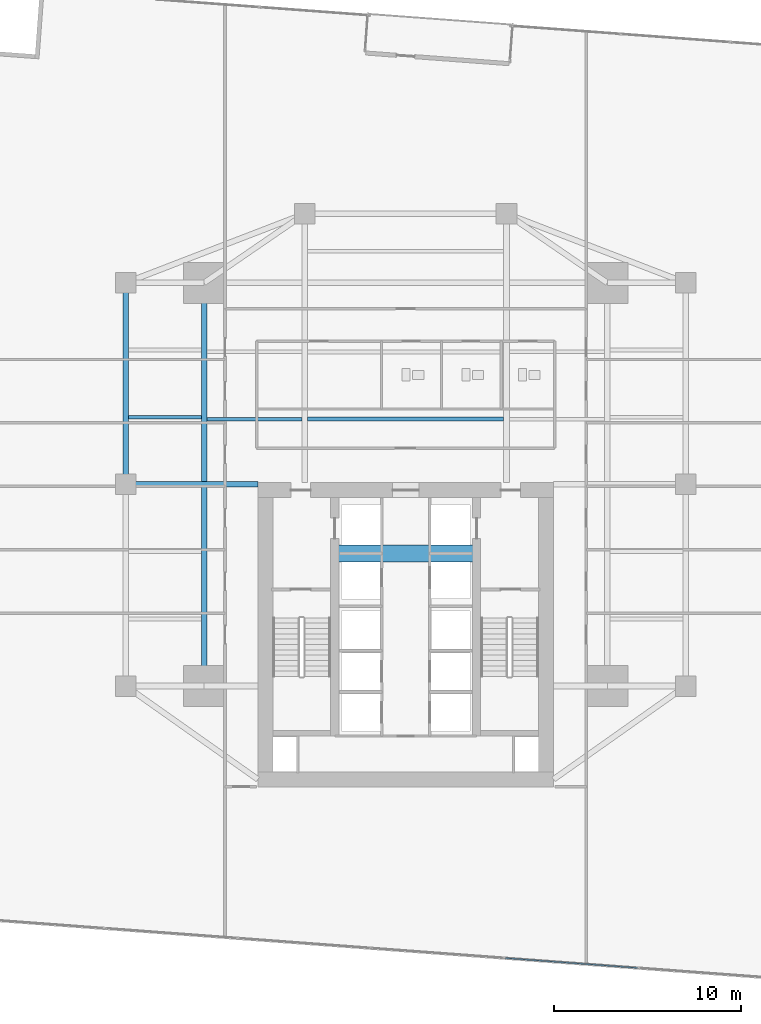
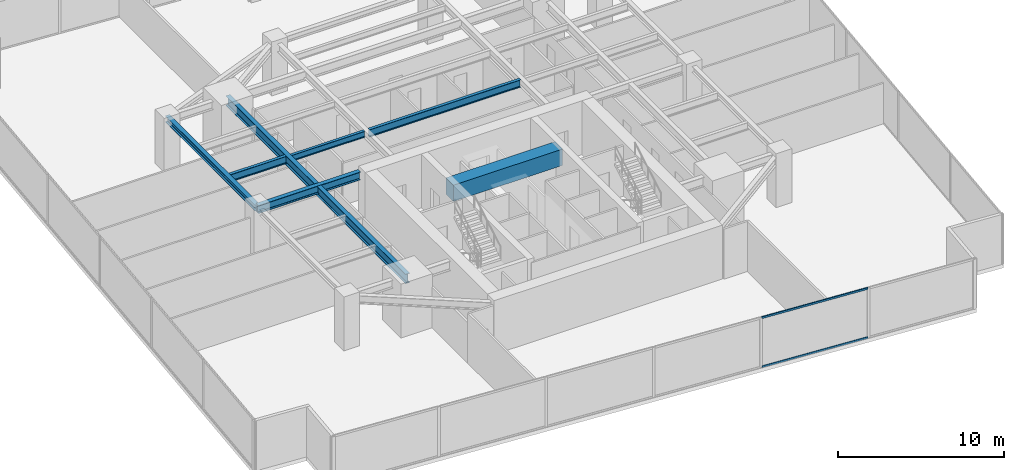
# One storey, part 11 of 30: 7 beams, 2 members, 1 element without a shape of its own.
"""IFC4 building model written with IfcOpenShell, lengths in metres."""

from ifc_helpers import new_model, si_unit, direction, frame, origin, origin_2d, place, context, subcontext, project, spatial, rectangle, hollow_rectangle, i_section, extrude, source, transform, mapped, material, material_profile, profile_set, type_object, type_shapes, element, aggregate, save


model = new_model("IFC4")

# Units and contexts
model_context = context("Model", 3, precision=1e-05, world=origin(), true_north=direction((0.0, 1.0)))
body_context = subcontext(model_context, "Body", "Model", "MODEL_VIEW")
ifc_project = project(units=[si_unit("LENGTHUNIT", "METRE"), si_unit("AREAUNIT", "SQUARE_METRE"), si_unit("VOLUMEUNIT", "CUBIC_METRE"), si_unit("PLANEANGLEUNIT", "RADIAN"), si_unit("MASSUNIT", "GRAM", prefix="KILO")], contexts=[model_context])

# Site, building, storey
site_placement = place(None, origin())
site = spatial("IfcSite", under=ifc_project, at=site_placement, CompositionType="ELEMENT")
building_placement = place(site_placement, origin())
building = spatial("IfcBuilding", under=site, at=building_placement, Name="Krantzveldt Concourse Tower", CompositionType="ELEMENT")
storey_placement = place(building_placement, frame((0.0, 0.0, 48.699951171875)))
storey = spatial("IfcBuildingStorey", under=building, at=storey_placement, Name="L11", CompositionType="ELEMENT", Elevation=48.699951171875)

# Beams
ifc_material_1 = material(Name="Concrete C50/60", Category="concrete")
ifc_material_profile_1 = material_profile(ifc_material_1, rectangle(XDim=0.89990234375, YDim=1.199951171875, at=origin_2d()), Name="Concrete C50/60", Category="concrete")
ifc_profile_set_1 = profile_set([ifc_material_profile_1], Name="Concrete C50/60 - RC-CB 900x1200")
beam_type_1 = type_object("IfcBeamType", Name="BM-CB-1200", PredefinedType="LINTEL", material=ifc_profile_set_1)
shared_shape_1 = source(origin(), body_context, "Body", "SweptSolid", [
    extrude(rectangle(XDim=0.89990234375, YDim=1.199951171875, at=origin_2d()), origin(), (0.0, 0.0, 1.0), 7.580078125),
])
type_shapes(beam_type_1, [shared_shape_1])
beam_1_placement = place(storey_placement, frame((32.2099609375, 23.0, 3.070068359375), z_axis=(1.0, 0.0, 0.0), x_axis=(0.0, 1.0, 0.0)))
element("IfcBeam", 1, at=beam_1_placement, inside=storey, type_object=beam_type_1, Name="CB-L11-01", PredefinedType="LINTEL", context=body_context, shape_type="MappedRepresentation", body=[
    mapped(shared_shape_1, transform((0.0, 0.0, 0.0), x_axis=(1.0, 0.0, 0.0), y_axis=(0.0, 1.0, 0.0), z_axis=(0.0, 0.0, 1.0), scale=1.0)),
])
ifc_material_2 = material(Name="Steel S355J2", Category="steel")
ifc_material_profile_2 = material_profile(ifc_material_2, i_section(OverallWidth=0.300048828125, OverallDepth=0.699951171875, WebThickness=0.01708984375, FlangeThickness=0.031982421875, FilletRadius=0.027099609375, at=origin_2d()), Name="Steel S355J2", Category="steel")
ifc_profile_set_2 = profile_set([ifc_material_profile_2], Name="Steel S355J2 - HEB 700")
beam_type_2 = type_object("IfcBeamType", Name="BM-B-HEB700", PredefinedType="BEAM", material=ifc_profile_set_2)
shared_shape_2 = source(origin(), body_context, "Body", "SweptSolid", [
    extrude(i_section(OverallWidth=0.300048828125, OverallDepth=0.699951171875, WebThickness=0.01708984375, FlangeThickness=0.031982421875, FilletRadius=0.027099609375, at=origin_2d()), origin(), (0.0, 0.0, 1.0), 21.60009765625),
])
type_shapes(beam_type_2, [shared_shape_2])
beam_2_placement = place(storey_placement, frame((25.199951171875, 15.89990234375, 3.320068359375), z_axis=(0.0, 1.0, 0.0), x_axis=(-1.0, 0.0, 0.0)))
element("IfcBeam", 2, at=beam_2_placement, inside=storey, type_object=beam_type_2, Name="L11 Tower Girder BG-MW", PredefinedType="BEAM", context=body_context, shape_type="MappedRepresentation", body=[
    mapped(shared_shape_2, transform((0.0, 0.0, 0.0), x_axis=(1.0, 0.0, 0.0), y_axis=(0.0, 1.0, 0.0), z_axis=(0.0, 0.0, 1.0), scale=1.0)),
])
ifc_material_3 = material(Name="Steel S355JR", Category="steel")
ifc_material_profile_3 = material_profile(ifc_material_3, i_section(OverallWidth=0.300048828125, OverallDepth=0.590087890625, WebThickness=0.012939453125, FlangeThickness=0.02490234375, FilletRadius=0.027099609375, at=origin_2d()), Name="Steel S355JR", Category="steel")
ifc_profile_set_3 = profile_set([ifc_material_profile_3], Name="Steel S355JR - HEA 600")
beam_type_3 = type_object("IfcBeamType", Name="BM-B-HEA600", PredefinedType="BEAM", material=ifc_profile_set_3)
shared_shape_3 = source(origin(), body_context, "Body", "SweptSolid", [
    extrude(i_section(OverallWidth=0.300048828125, OverallDepth=0.590087890625, WebThickness=0.012939453125, FlangeThickness=0.02490234375, FilletRadius=0.027099609375, at=origin_2d()), origin(), (0.0, 0.0, 1.0), 7.080078125),
])
type_shapes(beam_type_3, [shared_shape_3])
beam_3_placement = place(storey_placement, frame((21.0, 26.699951171875, 3.375), z_axis=(1.0, 0.0, 0.0), x_axis=(0.0, 1.0, 0.0)))
element("IfcBeam", 3, at=beam_3_placement, inside=storey, type_object=beam_type_3, Name="L11 Tower Girder BG-CW2", PredefinedType="BEAM", context=body_context, shape_type="MappedRepresentation", body=[
    mapped(shared_shape_3, transform((0.0, 0.0, 0.0), x_axis=(1.0, 0.0, 0.0), y_axis=(0.0, 1.0, 0.0), z_axis=(0.0, 0.0, 1.0), scale=1.0)),
])
ifc_material_profile_4 = material_profile(ifc_material_3, i_section(OverallWidth=0.300048828125, OverallDepth=0.43994140625, WebThickness=0.011474609375, FlangeThickness=0.02099609375, FilletRadius=0.027099609375, at=origin_2d()), Name="Steel S355JR", Category="steel")
ifc_profile_set_4 = profile_set([ifc_material_profile_4], Name="Steel S355JR - HEA 450")
beam_type_4 = type_object("IfcBeamType", Name="BM-SP-HEA450", PredefinedType="SPANDREL", material=ifc_profile_set_4)
shared_shape_4 = source(origin(), body_context, "Body", "SweptSolid", [
    extrude(i_section(OverallWidth=0.300048828125, OverallDepth=0.43994140625, WebThickness=0.011474609375, FlangeThickness=0.02099609375, FilletRadius=0.027099609375, at=origin_2d()), origin(), (0.0, 0.0, 1.0), 10.800048828125),
])
type_shapes(beam_type_4, [shared_shape_4])
beam_4_placement = place(storey_placement, frame((21.0, 26.699951171875, 3.449951171875), z_axis=(0.0, 1.0, 0.0), x_axis=(-1.0, 0.0, 0.0)))
element("IfcBeam", 4, at=beam_4_placement, inside=storey, type_object=beam_type_4, Name="L11 Tower Girder SP-R02", PredefinedType="SPANDREL", context=body_context, shape_type="MappedRepresentation", body=[
    mapped(shared_shape_4, transform((0.0, 0.0, 0.0), x_axis=(1.0, 0.0, 0.0), y_axis=(0.0, 1.0, 0.0), z_axis=(0.0, 0.0, 1.0), scale=1.0)),
])
ifc_material_profile_5 = material_profile(ifc_material_3, i_section(OverallWidth=0.2099609375, OverallDepth=0.550048828125, WebThickness=0.010986328125, FlangeThickness=0.01708984375, FilletRadius=0.02392578125, at=origin_2d()), Name="Steel S355JR", Category="steel")
ifc_profile_set_5 = profile_set([ifc_material_profile_5], Name="Steel S355JR - IPE 550")
beam_type_5 = type_object("IfcBeamType", Name="BM-J-IPE550", PredefinedType="JOIST", material=ifc_profile_set_5)
shared_shape_5 = source(origin(), body_context, "Body", "SweptSolid", [
    extrude(i_section(OverallWidth=0.2099609375, OverallDepth=0.550048828125, WebThickness=0.010986328125, FlangeThickness=0.01708984375, FilletRadius=0.02392578125, at=origin_2d()), origin(), (0.0, 0.0, 1.0), 10.5),
])
beam_5_placement = place(storey_placement, frame((30.75, 30.199951171875, 3.39501953125), z_axis=(1.0, 0.0, 0.0), x_axis=(0.0, 1.0, 0.0)))
element("IfcBeam", 5, at=beam_5_placement, inside=storey, type_object=beam_type_5, Name="L11 Secondary Floor Joist JN-C1", PredefinedType="JOIST", context=body_context, shape_type="MappedRepresentation", body=[
    mapped(shared_shape_5, transform((0.0, 0.0, 0.0), x_axis=(1.0, 0.0, 0.0), y_axis=(0.0, 1.0, 0.0), z_axis=(0.0, 0.0, 1.0), scale=1.0)),
])
ifc_material_profile_6 = material_profile(ifc_material_3, i_section(OverallWidth=0.18994140625, OverallDepth=0.449951171875, WebThickness=0.009521484375, FlangeThickness=0.0146484375, FilletRadius=0.02099609375, at=origin_2d()), Name="Steel S355JR", Category="steel")
ifc_profile_set_6 = profile_set([ifc_material_profile_6], Name="Steel S355JR - IPE 450")
beam_type_6 = type_object("IfcBeamType", Name="BM-J-IPE450", PredefinedType="JOIST", material=ifc_profile_set_6)
shared_shape_6 = source(origin(), body_context, "Body", "SweptSolid", [
    extrude(i_section(OverallWidth=0.18994140625, OverallDepth=0.449951171875, WebThickness=0.009521484375, FlangeThickness=0.0146484375, FilletRadius=0.02099609375, at=origin_2d()), origin(), (0.0, 0.0, 1.0), 5.099853515625),
])
type_shapes(beam_type_6, [shared_shape_6])
beam_6_placement = place(storey_placement, frame((25.35009765625, 30.199951171875, 3.445068359375), z_axis=(1.0, 0.0, 0.0), x_axis=(0.0, 1.0, 0.0)))
element("IfcBeam", 6, at=beam_6_placement, inside=storey, type_object=beam_type_6, Name="L11 Secondary Floor Joist JN-W1", PredefinedType="JOIST", context=body_context, shape_type="MappedRepresentation", body=[
    mapped(shared_shape_6, transform((0.0, 0.0, 0.0), x_axis=(1.0, 0.0, 0.0), y_axis=(0.0, 1.0, 0.0), z_axis=(0.0, 0.0, 1.0), scale=1.0)),
])
shared_shape_7 = source(origin(), body_context, "Body", "SweptSolid", [
    extrude(i_section(OverallWidth=0.2099609375, OverallDepth=0.550048828125, WebThickness=0.010986328125, FlangeThickness=0.01708984375, FilletRadius=0.02392578125, at=origin_2d()), origin(), (0.0, 0.0, 1.0), 3.900146484375),
])
type_shapes(beam_type_5, [shared_shape_5, shared_shape_7])
beam_7_placement = place(storey_placement, frame((21.14990234375, 30.300048828125, 3.39501953125), z_axis=(1.0, 0.0, 0.0), x_axis=(0.0, 1.0, 0.0)))
element("IfcBeam", 7, at=beam_7_placement, inside=storey, type_object=beam_type_5, Name="L11 Secondary Floor Joist JW-3", PredefinedType="JOIST", context=body_context, shape_type="MappedRepresentation", body=[
    mapped(shared_shape_7, transform((0.0, 0.0, 0.0), x_axis=(1.0, 0.0, 0.0), y_axis=(0.0, 1.0, 0.0), z_axis=(0.0, 0.0, 1.0), scale=1.0)),
])

# Curtain wall, members
ifc_material_4 = material(Name="Anodised aluminium 6063-T6", Category="aluminium")
curtain_wall_type = type_object("IfcCurtainWallType", Name="CW2", PredefinedType="USERDEFINED", material=ifc_material_4)
curtain_wall_placement = place(storey_placement, origin())
curtain_wall = element("IfcCurtainWall", 8, at=curtain_wall_placement, inside=storey, type_object=curtain_wall_type, Name="CW-L11-F04", ObjectType="UNITISED CURTAIN WALL", PredefinedType="USERDEFINED")
ifc_material_profile_7 = material_profile(ifc_material_4, hollow_rectangle(XDim=0.070068359375, YDim=0.139892578125, WallThickness=0.0048828125, at=origin_2d()), Name="Anodised aluminium 6063-T6", Category="aluminium")
ifc_profile_set_7 = profile_set([ifc_material_profile_7], Name="Anodised aluminium 6063-T6 - ALU-TRAN 140x70x5")
member_type = type_object("IfcMemberType", Name="CW-TRN-150", PredefinedType="USERDEFINED", material=ifc_profile_set_7)
shared_shape_8 = source(origin(), body_context, "Body", "SweptSolid", [
    extrude(hollow_rectangle(XDim=0.070068359375, YDim=0.139892578125, WallThickness=0.0048828125, at=origin_2d()), origin(), (0.0, 0.0, 1.0), 7.0966796875),
])
type_shapes(member_type, [shared_shape_8])
member_1_placement = place(storey_placement, frame((41.3359375, 1.32470703125, 0.03515625), z_axis=(0.997250644028, -0.074102314311, 0.0), x_axis=(0.074102314311, 0.997250644028, 0.0)))
member_1 = element("IfcMember", 9, at=member_1_placement, type_object=member_type, Name="CW-Z12 transom 5.1", ObjectType="TRANSOM", PredefinedType="USERDEFINED", context=body_context, shape_type="MappedRepresentation", body=[
    mapped(shared_shape_8, transform((0.0, 0.0, 0.0), x_axis=(1.0, 0.0, 0.0), y_axis=(0.0, 1.0, 0.0), z_axis=(0.0, 0.0, 1.0), scale=1.0)),
])
member_2_placement = place(storey_placement, frame((41.3359375, 1.32470703125, 3.635009765625), z_axis=(0.997250644028, -0.074102314311, 0.0), x_axis=(0.074102314311, 0.997250644028, 0.0)))
member_2 = element("IfcMember", 10, at=member_2_placement, type_object=member_type, Name="CW-Z12 transom 5.2", ObjectType="TRANSOM", PredefinedType="USERDEFINED", context=body_context, shape_type="MappedRepresentation", body=[
    mapped(shared_shape_8, transform((0.0, 0.0, 0.0), x_axis=(1.0, 0.0, 0.0), y_axis=(0.0, 1.0, 0.0), z_axis=(0.0, 0.0, 1.0), scale=1.0)),
])
aggregate(curtain_wall, [member_1, member_2])

save(model, "model.ifc")
